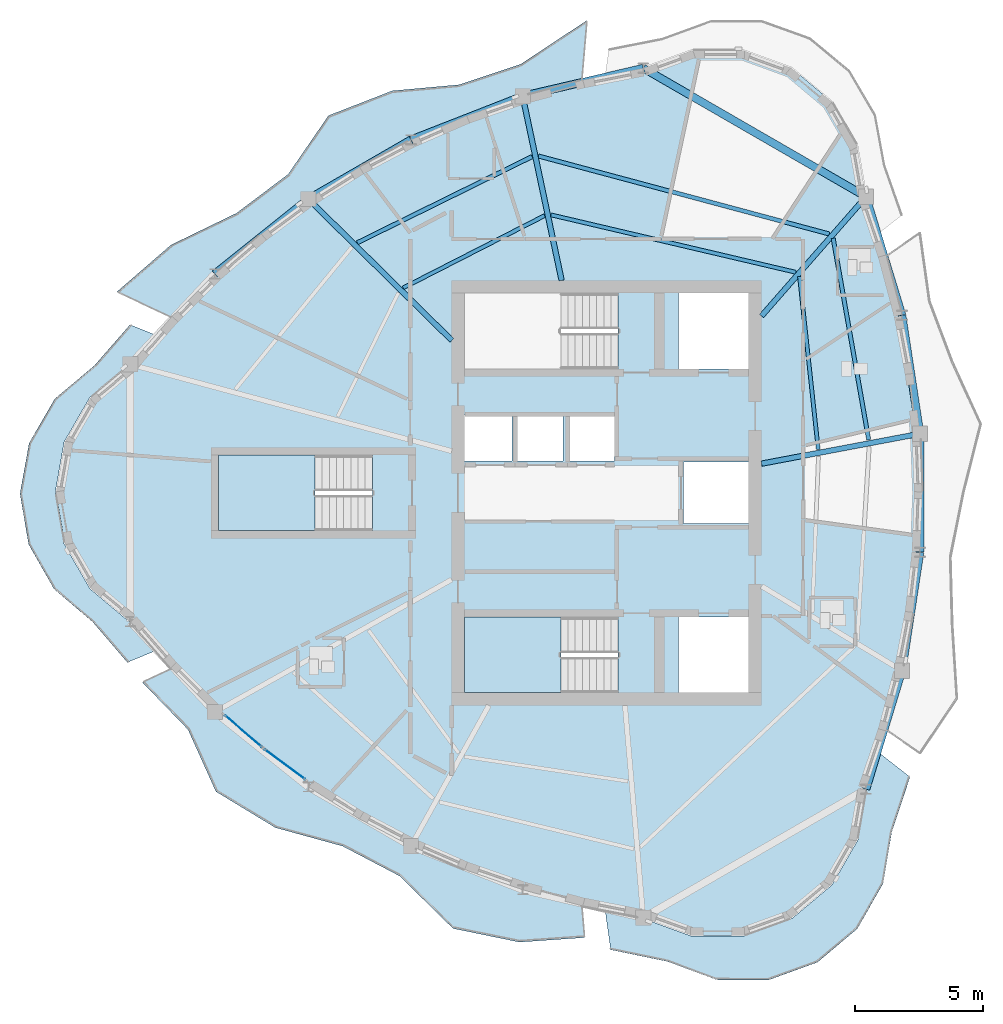
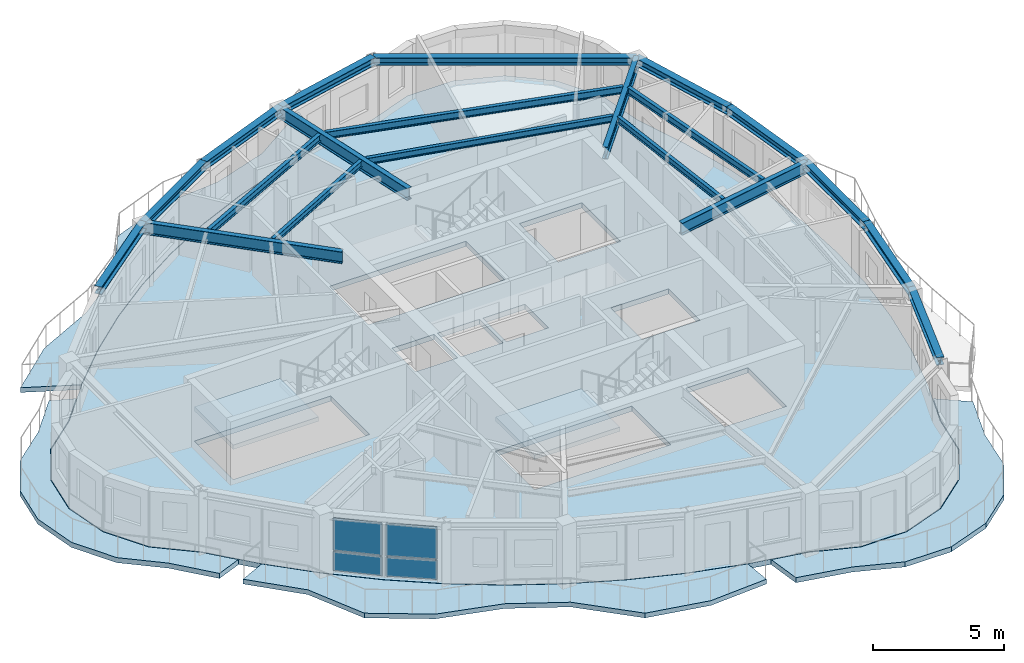
# One storey, part 3 of 13: 20 beams, 7 slabs, 4 plates, 4 elements without a shape of their own.
"""IFC4 building model written with IfcOpenShell, lengths in metres."""

import ifcopenshell
import ifcopenshell.guid

model = None  # the IFC model being written
_history = None  # IfcOwnerHistory: only IFC2X3 demands one
_inside = {}  # id of a spatial element -> (the spatial element, [elements in it])
_under = {}  # id of a project, library or spatial element -> (it, [spatial elements below it])
_declared = {}  # id of a project -> (the project, [libraries it declares])
_typed = {}  # id of a type object -> (the type object, [elements of that type])
_made_of = {}  # id of a material, layer set ... -> (it, [elements and type objects made of it])


def new_model(schema):
    """Start an empty IFC model of exactly this schema.

    Asked for "IFC4X3", IfcOpenShell would pick the latest addendum, in which some entities
    have other attributes; the version numbers below select the first issue.
    IFC2X3 requires an IfcOwnerHistory on every rooted entity: one is made here for all.
    """
    global model, _history
    if schema == "IFC4X3":
        model = ifcopenshell.file(schema_version=(4, 3, 0, 0))
    else:
        model = ifcopenshell.file(schema=schema)
    _inside.clear()
    _under.clear()
    _declared.clear()
    _typed.clear()
    _made_of.clear()
    _history = None
    if model.schema == "IFC2X3":
        org = make("IfcOrganization", Name="unknown")
        user = make(
            "IfcPersonAndOrganization",
            ThePerson=make("IfcPerson", FamilyName="unknown"),
            TheOrganization=org,
        )
        app = make(
            "IfcApplication",
            ApplicationDeveloper=org,
            Version="unknown",
            ApplicationFullName="unknown",
            ApplicationIdentifier="unknown",
        )
        _history = make(
            "IfcOwnerHistory",
            OwningUser=user,
            OwningApplication=app,
            ChangeAction="ADDED",
            CreationDate=0,
        )
    return model


def make(cls, **values):
    """One entity of the class cls with the attributes given. An attribute that is None is left unset."""
    return model.create_entity(
        cls, **{name: value for name, value in values.items() if value is not None}
    )


def rooted(cls, **values):
    """An entity with a GlobalId (a new one), such as an element, a storey or a relation."""
    return make(cls, GlobalId=ifcopenshell.guid.new(), OwnerHistory=_history, **values)


def si_unit(unit_type, name, prefix=None):
    """IfcSIUnit, for example si_unit("LENGTHUNIT", "METRE", prefix="MILLI")."""
    return make("IfcSIUnit", UnitType=unit_type, Prefix=prefix, Name=name)


def assignment(units):
    """IfcUnitAssignment: the units of a project."""
    return None if units is None else make("IfcUnitAssignment", Units=units)


def point(xyz):
    """IfcCartesianPoint."""
    return None if xyz is None else make("IfcCartesianPoint", Coordinates=xyz)


def direction(xyz):
    """IfcDirection."""
    return None if xyz is None else make("IfcDirection", DirectionRatios=xyz)


def frame(location, z_axis=None, x_axis=None):
    """IfcAxis2Placement3D, a coordinate frame: its origin and axes. An axis left out is left unset."""
    return make(
        "IfcAxis2Placement3D",
        Location=point(location),
        Axis=direction(z_axis),
        RefDirection=direction(x_axis),
    )


def frame_2d(location, x_axis=None):
    """IfcAxis2Placement2D, a coordinate frame in the plane: its origin and x axis."""
    return make(
        "IfcAxis2Placement2D", Location=point(location), RefDirection=direction(x_axis)
    )


def origin():
    """The frame at (0, 0, 0) with its axes left unset."""
    return frame((0.0, 0.0, 0.0))


def origin_2d():
    """The frame at (0, 0) in the plane with its x axis left unset."""
    return frame_2d((0.0, 0.0))


def place(relative_to, where):
    """IfcLocalPlacement: puts the frame where relative to a parent placement (None: the world)."""
    return make(
        "IfcLocalPlacement", PlacementRelTo=relative_to, RelativePlacement=where
    )


def context(
    kind, dimensions, precision=None, world=None, true_north=None, identifier=None
):
    """IfcGeometricRepresentationContext, for example the 3D "Model" context."""
    return make(
        "IfcGeometricRepresentationContext",
        ContextIdentifier=identifier,
        ContextType=kind,
        CoordinateSpaceDimension=dimensions,
        Precision=precision,
        WorldCoordinateSystem=world,
        TrueNorth=true_north,
    )


def subcontext(parent, identifier, kind, view, scale=None):
    """IfcGeometricRepresentationSubContext, for example "Body" below "Model"."""
    return make(
        "IfcGeometricRepresentationSubContext",
        ContextIdentifier=identifier,
        ContextType=kind,
        ParentContext=parent,
        TargetScale=scale,
        TargetView=view,
    )


def project(units=None, contexts=None):
    """IfcProject with its units and contexts."""
    return rooted(
        "IfcProject",
        Name="project",
        RepresentationContexts=contexts,
        UnitsInContext=assignment(units),
    )


def spatial(cls, under=None, at=None, **own):
    """A site, building, storey or space (cls), placed at a placement, below another one or the project."""
    s = rooted(cls, ObjectPlacement=at, **own)
    if under is not None:
        _under.setdefault(under.id(), (under, []))[1].append(s)
    return s


def polyline(points):
    """IfcPolyline through the points."""
    return make("IfcPolyline", Points=[point(p) for p in points])


def profile(cls, at=None, kind="AREA", **sizes):
    """A parametric profile (cls). Its sizes go by their IFC names, for example OverallWidth=200.0."""
    return make(cls, ProfileType=kind, Position=at, **sizes)


def rectangle(**sizes):
    """IfcRectangleProfileDef."""
    return profile("IfcRectangleProfileDef", **sizes)


def i_section(**sizes):
    """IfcIShapeProfileDef."""
    return profile("IfcIShapeProfileDef", **sizes)


def outline(outer, holes=None, kind="AREA"):
    """IfcArbitraryClosedProfileDef: a profile drawn as a closed curve; with holes, ...WithVoids."""
    if holes is None:
        return make("IfcArbitraryClosedProfileDef", ProfileType=kind, OuterCurve=outer)
    return make(
        "IfcArbitraryProfileDefWithVoids",
        ProfileType=kind,
        OuterCurve=outer,
        InnerCurves=holes,
    )


def extrude(swept, where, along, depth):
    """IfcExtrudedAreaSolid: the profile swept, set in the frame where, extruded along a direction by depth."""
    return make(
        "IfcExtrudedAreaSolid",
        SweptArea=swept,
        Position=where,
        ExtrudedDirection=direction(along),
        Depth=depth,
    )


def shape(context_of_items, identifier, shape_type, items):
    """IfcShapeRepresentation: the items that make up one representation, for example the "Body"."""
    return make(
        "IfcShapeRepresentation",
        ContextOfItems=context_of_items,
        RepresentationIdentifier=identifier,
        RepresentationType=shape_type,
        Items=items,
    )


def source(mapping_origin, context_of_items, identifier, shape_type, items):
    """IfcRepresentationMap: a shape defined once, which mapped items show again and again."""
    return make(
        "IfcRepresentationMap",
        MappingOrigin=mapping_origin,
        MappedRepresentation=shape(context_of_items, identifier, shape_type, items),
    )


def transform(
    local_origin,
    x_axis=None,
    y_axis=None,
    z_axis=None,
    scale=None,
    scale2=None,
    scale3=None,
    uniform=True,
):
    """IfcCartesianTransformationOperator3D, or its non-uniform kind. x_axis, y_axis, z_axis: its Axis1, 2, 3."""
    if uniform:
        return make(
            "IfcCartesianTransformationOperator3D",
            Axis1=direction(x_axis),
            Axis2=direction(y_axis),
            LocalOrigin=point(local_origin),
            Scale=scale,
            Axis3=direction(z_axis),
        )
    return make(
        "IfcCartesianTransformationOperator3DnonUniform",
        Axis1=direction(x_axis),
        Axis2=direction(y_axis),
        LocalOrigin=point(local_origin),
        Scale=scale,
        Axis3=direction(z_axis),
        Scale2=scale2,
        Scale3=scale3,
    )


def mapped(mapping_source, mapping_target):
    """IfcMappedItem: shows the shape of a source again, moved by a transform."""
    return make(
        "IfcMappedItem", MappingSource=mapping_source, MappingTarget=mapping_target
    )


def material(Name=None, Category=None):
    """IfcMaterial."""
    return make("IfcMaterial", Name=Name, Category=Category)


def layer(
    of_material, thickness, ventilated=None, Name=None, Category=None, Priority=None
):
    """IfcMaterialLayer: one layer of a wall or slab, of a material (None: an air gap)."""
    return make(
        "IfcMaterialLayer",
        Material=of_material,
        LayerThickness=thickness,
        IsVentilated=ventilated,
        Name=Name,
        Category=Category,
        Priority=Priority,
    )


def layer_set(layers, Name=None):
    """IfcMaterialLayerSet."""
    return make("IfcMaterialLayerSet", MaterialLayers=layers, LayerSetName=Name)


def material_profile(
    of_material, cross_section, Name=None, Category=None, Priority=None
):
    """IfcMaterialProfile: a cross section and its material."""
    return make(
        "IfcMaterialProfile",
        Name=Name,
        Material=of_material,
        Profile=cross_section,
        Priority=Priority,
        Category=Category,
    )


def profile_set(profiles, Name=None, composite=None):
    """IfcMaterialProfileSet."""
    return make(
        "IfcMaterialProfileSet",
        Name=Name,
        MaterialProfiles=profiles,
        CompositeProfile=composite,
    )


def made_of(thing, what):
    """Note that an element or type object is made of a material, layer set ...; save() writes the relation."""
    if what is not None:
        _made_of.setdefault(what.id(), (what, []))[1].append(thing)
    return thing


def type_object(cls, material=None, **own):
    """A type object (cls), such as IfcWallType, which elements share."""
    return made_of(rooted(cls, **own), material)


def element(
    cls,
    number,
    at=None,
    inside=None,
    cuts=None,
    type_object=None,
    material=None,
    context=None,
    identifier="Body",
    shape_type=None,
    held_by="IfcProductDefinitionShape",
    body=None,
    shapes=None,
    **own,
):
    """One element of the class cls, such as IfcWall. Its Tag is "e" and its number.

    at: its placement. inside: the storey or other place that contains it. cuts: it is an
    opening in that element (IfcRelVoidsElement). A single representation is given by context,
    identifier, shape_type and body (its items); several are given by shapes. held_by: the class
    of the entity that holds the representations. save() writes the other relations.
    """
    e = rooted(cls, Tag="e%d" % number, ObjectPlacement=at, **own)
    if body is not None:
        shapes = [shape(context, identifier, shape_type, body)]
    if shapes is not None:
        e.Representation = make(held_by, Representations=shapes)
    if inside is not None:
        _inside.setdefault(inside.id(), (inside, []))[1].append(e)
    if cuts is not None:
        rooted(
            "IfcRelVoidsElement", RelatingBuildingElement=cuts, RelatedOpeningElement=e
        )
    if type_object is not None:
        _typed.setdefault(type_object.id(), (type_object, []))[1].append(e)
    return made_of(e, material)


def aggregate(whole, parts):
    """IfcRelAggregates: a whole, such as a stair, and the parts it consists of."""
    return rooted("IfcRelAggregates", RelatingObject=whole, RelatedObjects=parts)


def save(model, path):
    """Write the relations noted so far, then the file.

    IfcRelAggregates (storeys below a building ...), IfcRelContainedInSpatialStructure (elements
    in a storey), IfcRelDefinesByType, IfcRelAssociatesMaterial and IfcRelDeclares: one each for
    every whole, place, type object, material and project.
    """
    for whole, parts in _under.values():
        aggregate(whole, parts)
    for where, things in _inside.values():
        rooted(
            "IfcRelContainedInSpatialStructure",
            RelatedElements=things,
            RelatingStructure=where,
        )
    for kind, things in _typed.values():
        rooted("IfcRelDefinesByType", RelatedObjects=things, RelatingType=kind)
    for what, things in _made_of.values():
        rooted("IfcRelAssociatesMaterial", RelatedObjects=things, RelatingMaterial=what)
    for by, libraries in _declared.values():
        rooted("IfcRelDeclares", RelatingContext=by, RelatedDefinitions=libraries)
    model.write(path)


model = new_model("IFC4")

# Units and contexts
model_context = context("Model", 3, precision=1e-05, world=origin(), true_north=direction((0.0, 1.0)))
body_context = subcontext(model_context, "Body", "Model", "MODEL_VIEW")
ifc_project = project(units=[si_unit("LENGTHUNIT", "METRE"), si_unit("AREAUNIT", "SQUARE_METRE"), si_unit("VOLUMEUNIT", "CUBIC_METRE"), si_unit("PLANEANGLEUNIT", "RADIAN"), si_unit("MASSUNIT", "GRAM", prefix="KILO")], contexts=[model_context])

# Site, building, storey
site_placement = place(None, origin())
site = spatial("IfcSite", under=ifc_project, at=site_placement, CompositionType="ELEMENT")
building_placement = place(site_placement, origin())
building = spatial("IfcBuilding", under=site, at=building_placement, Name="Qafzar Sky-Pleat Residences", CompositionType="ELEMENT")
storey_placement = place(building_placement, frame((0.0, 0.0, 195.60009765625)))
storey = spatial("IfcBuildingStorey", under=building, at=storey_placement, Name="L58", CompositionType="ELEMENT", Elevation=195.60009765625)

# Beams
ifc_material_1 = material(Name="Steel S355", Category="steel")
ifc_material_profile_1 = material_profile(ifc_material_1, i_section(OverallWidth=0.300048828125, OverallDepth=0.360107421875, WebThickness=0.012451171875, FlangeThickness=0.0224609375, FilletRadius=0.027099609375, at=origin_2d()), Name="HEB 360")
ifc_profile_set_1 = profile_set([ifc_material_profile_1], Name="Steel S355")
beam_type_1 = type_object("IfcBeamType", Name="BM-SPAN-HEB360", PredefinedType="SPANDREL", material=ifc_profile_set_1)
shared_shape_1 = source(origin(), body_context, "Body", "SweptSolid", [
    extrude(i_section(OverallWidth=0.300048828125, OverallDepth=0.360107421875, WebThickness=0.012451171875, FlangeThickness=0.0224609375, FilletRadius=0.027099609375, at=origin_2d()), origin(), (0.0, 0.0, 1.0), 10.0458984375),
])
beam_1_placement = place(storey_placement, frame((40.47998046875, 37.570068359375, 2.77783203125), z_axis=(-0.866024107753, 0.500002244785, 0.0), x_axis=(-0.500002244785, -0.866024107753, 0.0)))
element("IfcBeam", 1, at=beam_1_placement, inside=storey, type_object=beam_type_1, Name="L58 Perimeter Spandrel Beam 13", PredefinedType="SPANDREL", context=body_context, shape_type="MappedRepresentation", body=[
    mapped(shared_shape_1, transform((0.0, 0.0, 0.0), x_axis=(1.0, 0.0, 0.0), y_axis=(0.0, 1.0, 0.0), z_axis=(0.0, 0.0, 1.0), scale=1.0)),
])
shared_shape_2 = source(origin(), body_context, "Body", "SweptSolid", [
    extrude(i_section(OverallWidth=0.300048828125, OverallDepth=0.360107421875, WebThickness=0.012451171875, FlangeThickness=0.0224609375, FilletRadius=0.027099609375, at=origin_2d()), origin(), (0.0, 0.0, 1.0), 4.837158203125),
])
for number, where, z_axis, x_axis, name in (
    (2, (40.47998046875, 14.429931640625, 2.77783203125), (0.290874397057, 0.956761247719, 0.0), (-0.956761247719, 0.290874397057, 0.0), "L58 Perimeter Spandrel Beam 8"),
    (3, (41.886962890625, 32.942138671875, 2.77783203125), (-0.290874397057, 0.956761247719, 0.0), (-0.956761247719, -0.290874397057, 0.0), "L58 Perimeter Spandrel Beam 12"),
    (4, (31.780029296875, 42.593017578125, 2.77783203125), (-0.974018125748, -0.226470065822, 0.0), (0.226470065822, -0.974018125748, 0.0), "L58 Perimeter Spandrel Beam 14"),
):
    element("IfcBeam", number, at=place(storey_placement, frame(where, z_axis=z_axis, x_axis=x_axis)), inside=storey, type_object=beam_type_1, Name=name, PredefinedType="SPANDREL", context=body_context, shape_type="MappedRepresentation", body=[
        mapped(shared_shape_2, transform((0.0, 0.0, 0.0), x_axis=(1.0, 0.0, 0.0), y_axis=(0.0, 1.0, 0.0), z_axis=(0.0, 0.0, 1.0), scale=1.0)),
    ])
shared_shape_3 = source(origin(), body_context, "Body", "SweptSolid", [
    extrude(i_section(OverallWidth=0.300048828125, OverallDepth=0.360107421875, WebThickness=0.012451171875, FlangeThickness=0.0224609375, FilletRadius=0.027099609375, at=origin_2d()), origin(), (0.0, 0.0, 1.0), 4.68115234375),
])
beam_2_placement = place(storey_placement, frame((18.70068359375, 37.478515625, 2.77783203125), z_axis=(-0.781067211918, -0.624446963695, 0.0), x_axis=(0.624446963695, -0.781067211918, 0.0)))
element("IfcBeam", 5, at=beam_2_placement, inside=storey, type_object=beam_type_1, Name="L58 Perimeter Spandrel Beam 17", PredefinedType="SPANDREL", context=body_context, shape_type="MappedRepresentation", body=[
    mapped(shared_shape_3, transform((0.0, 0.0, 0.0), x_axis=(1.0, 0.0, 0.0), y_axis=(0.0, 1.0, 0.0), z_axis=(0.0, 0.0, 1.0), scale=1.0)),
])
shared_shape_4 = source(origin(), body_context, "Body", "SweptSolid", [
    extrude(i_section(OverallWidth=0.300048828125, OverallDepth=0.360107421875, WebThickness=0.012451171875, FlangeThickness=0.0224609375, FilletRadius=0.027099609375, at=origin_2d()), origin(), (0.0, 0.0, 1.0), 4.628173828125),
])
beam_3_placement = place(storey_placement, frame((22.708740234375, 39.792724609375, 2.77783203125), z_axis=(-0.866010770261, -0.500025345149, 0.0), x_axis=(0.500025345149, -0.866010770261, 0.0)))
element("IfcBeam", 6, at=beam_3_placement, inside=storey, type_object=beam_type_1, Name="L58 Perimeter Spandrel Beam 16", PredefinedType="SPANDREL", context=body_context, shape_type="MappedRepresentation", body=[
    mapped(shared_shape_4, transform((0.0, 0.0, 0.0), x_axis=(1.0, 0.0, 0.0), y_axis=(0.0, 1.0, 0.0), z_axis=(0.0, 0.0, 1.0), scale=1.0)),
])
shared_shape_5 = source(origin(), body_context, "Body", "SweptSolid", [
    extrude(i_section(OverallWidth=0.300048828125, OverallDepth=0.360107421875, WebThickness=0.012451171875, FlangeThickness=0.0224609375, FilletRadius=0.027099609375, at=origin_2d()), origin(), (0.0, 0.0, 1.0), 4.681396484375),
])
for number, where, z_axis, x_axis, name in (
    (7, (41.886962890625, 19.057861328125, 2.77783203125), (0.150250295924, 0.988647990224, 0.0), (-0.988647990224, 0.150250295924, 0.0), "L58 Perimeter Spandrel Beam 9"),
    (8, (42.59033203125, 28.31396484375, 2.77783203125), (-0.150250295924, 0.988647990224, 0.0), (-0.988647990224, -0.150250295924, 0.0), "L58 Perimeter Spandrel Beam 11"),
    (9, (27.068603515625, 41.49755859375, 2.77783203125), (-0.931329701628, -0.36417713666, 0.0), (0.36417713666, -0.931329701628, 0.0), "L58 Perimeter Spandrel Beam 15"),
):
    element("IfcBeam", number, at=place(storey_placement, frame(where, z_axis=z_axis, x_axis=x_axis)), inside=storey, type_object=beam_type_1, Name=name, PredefinedType="SPANDREL", context=body_context, shape_type="MappedRepresentation", body=[
        mapped(shared_shape_5, transform((0.0, 0.0, 0.0), x_axis=(1.0, 0.0, 0.0), y_axis=(0.0, 1.0, 0.0), z_axis=(0.0, 0.0, 1.0), scale=1.0)),
    ])
shared_shape_6 = source(origin(), body_context, "Body", "SweptSolid", [
    extrude(i_section(OverallWidth=0.300048828125, OverallDepth=0.360107421875, WebThickness=0.012451171875, FlangeThickness=0.0224609375, FilletRadius=0.027099609375, at=origin_2d()), origin(), (0.0, 0.0, 1.0), 4.6279296875),
])
beam_4_placement = place(storey_placement, frame((42.59033203125, 23.68603515625, 2.77783203125), z_axis=(0.0, 1.0, 0.0), x_axis=(-1.0, 0.0, 0.0)))
element("IfcBeam", 10, at=beam_4_placement, inside=storey, type_object=beam_type_1, Name="L58 Perimeter Spandrel Beam 10", PredefinedType="SPANDREL", context=body_context, shape_type="MappedRepresentation", body=[
    mapped(shared_shape_6, transform((0.0, 0.0, 0.0), x_axis=(1.0, 0.0, 0.0), y_axis=(0.0, 1.0, 0.0), z_axis=(0.0, 0.0, 1.0), scale=1.0)),
])
ifc_material_profile_2 = material_profile(ifc_material_1, i_section(OverallWidth=0.2099609375, OverallDepth=0.550048828125, WebThickness=0.010986328125, FlangeThickness=0.01708984375, FilletRadius=0.02392578125, at=origin_2d()), Name="IPE 550")
ifc_profile_set_2 = profile_set([ifc_material_profile_2], Name="Steel S355")
beam_type_2 = type_object("IfcBeamType", Name="BM-SEC-IPE550", PredefinedType="BEAM", material=ifc_profile_set_2)
shared_shape_7 = source(origin(), body_context, "Body", "SweptSolid", [
    extrude(i_section(OverallWidth=0.2099609375, OverallDepth=0.550048828125, WebThickness=0.010986328125, FlangeThickness=0.01708984375, FilletRadius=0.02392578125, at=origin_2d()), origin(), (0.0, 0.0, 1.0), 6.300048828125),
])
beam_5_placement = place(storey_placement, frame((42.59033203125, 28.31396484375, 2.682861328125), z_axis=(-0.982599120298, -0.185738980265, 0.0), x_axis=(0.185738980265, -0.982599120298, 0.0)))
element("IfcBeam", 11, at=beam_5_placement, inside=storey, type_object=beam_type_2, Name="L58 Radial Floor Girder 11", PredefinedType="BEAM", context=body_context, shape_type="MappedRepresentation", body=[
    mapped(shared_shape_7, transform((0.0, 0.0, 0.0), x_axis=(1.0, 0.0, 0.0), y_axis=(0.0, 1.0, 0.0), z_axis=(0.0, 0.0, 1.0), scale=1.0)),
])
shared_shape_8 = source(origin(), body_context, "Body", "SweptSolid", [
    extrude(i_section(OverallWidth=0.2099609375, OverallDepth=0.550048828125, WebThickness=0.010986328125, FlangeThickness=0.01708984375, FilletRadius=0.02392578125, at=origin_2d()), origin(), (0.0, 0.0, 1.0), 6.193603515625),
])
beam_6_placement = place(storey_placement, frame((40.47998046875, 37.570068359375, 2.682861328125), z_axis=(-0.658747358269, -0.752364218961, 0.0), x_axis=(0.752364218961, -0.658747358269, 0.0)))
element("IfcBeam", 12, at=beam_6_placement, inside=storey, type_object=beam_type_2, Name="L58 Radial Floor Girder 13", PredefinedType="BEAM", context=body_context, shape_type="MappedRepresentation", body=[
    mapped(shared_shape_8, transform((0.0, 0.0, 0.0), x_axis=(1.0, 0.0, 0.0), y_axis=(0.0, 1.0, 0.0), z_axis=(0.0, 0.0, 1.0), scale=1.0)),
])
shared_shape_9 = source(origin(), body_context, "Body", "SweptSolid", [
    extrude(i_section(OverallWidth=0.2099609375, OverallDepth=0.550048828125, WebThickness=0.010986328125, FlangeThickness=0.01708984375, FilletRadius=0.02392578125, at=origin_2d()), origin(), (0.0, 0.0, 1.0), 7.357177734375),
])
beam_7_placement = place(storey_placement, frame((27.068603515625, 41.49755859375, 2.682861328125), z_axis=(0.207137560617, -0.978311827068, 0.0), x_axis=(0.978311827068, 0.207137560617, 0.0)))
element("IfcBeam", 13, at=beam_7_placement, inside=storey, type_object=beam_type_2, Name="L58 Radial Floor Girder 15", PredefinedType="BEAM", context=body_context, shape_type="MappedRepresentation", body=[
    mapped(shared_shape_9, transform((0.0, 0.0, 0.0), x_axis=(1.0, 0.0, 0.0), y_axis=(0.0, 1.0, 0.0), z_axis=(0.0, 0.0, 1.0), scale=1.0)),
])
shared_shape_10 = source(origin(), body_context, "Body", "SweptSolid", [
    extrude(i_section(OverallWidth=0.2099609375, OverallDepth=0.550048828125, WebThickness=0.010986328125, FlangeThickness=0.01708984375, FilletRadius=0.02392578125, at=origin_2d()), origin(), (0.0, 0.0, 1.0), 7.86083984375),
])
beam_8_placement = place(storey_placement, frame((18.70068359375, 37.478515625, 2.682861328125), z_axis=(0.712320728381, -0.70185410159, 0.0), x_axis=(0.70185410159, 0.712320728381, 0.0)))
element("IfcBeam", 14, at=beam_8_placement, inside=storey, type_object=beam_type_2, Name="L58 Radial Floor Girder 17", PredefinedType="BEAM", context=body_context, shape_type="MappedRepresentation", body=[
    mapped(shared_shape_10, transform((0.0, 0.0, 0.0), x_axis=(1.0, 0.0, 0.0), y_axis=(0.0, 1.0, 0.0), z_axis=(0.0, 0.0, 1.0), scale=1.0)),
])
ifc_material_profile_3 = material_profile(ifc_material_1, i_section(OverallWidth=0.159912109375, OverallDepth=0.330078125, WebThickness=0.007568359375, FlangeThickness=0.011474609375, FilletRadius=0.01806640625, at=origin_2d()), Name="IPE 330")
ifc_profile_set_3 = profile_set([ifc_material_profile_3], Name="Steel S355")
beam_type_3 = type_object("IfcBeamType", Name="BM-JST-IPE330", PredefinedType="JOIST", material=ifc_profile_set_3)
shared_shape_11 = source(origin(), body_context, "Body", "SweptSolid", [
    extrude(i_section(OverallWidth=0.159912109375, OverallDepth=0.330078125, WebThickness=0.007568359375, FlangeThickness=0.011474609375, FilletRadius=0.01806640625, at=origin_2d()), origin(), (0.0, 0.0, 1.0), 7.994873046875),
])
beam_9_placement = place(storey_placement, frame((40.5859375, 28.072509765625, 2.79296875), z_axis=(-0.173632033155, 0.984810599589, 0.0), x_axis=(-0.984810599589, -0.173632033155, 0.0)))
element("IfcBeam", 15, at=beam_9_placement, inside=storey, type_object=beam_type_3, Name="L58 Outer Secondary Floor Joist 6", PredefinedType="JOIST", context=body_context, shape_type="MappedRepresentation", body=[
    mapped(shared_shape_11, transform((0.0, 0.0, 0.0), x_axis=(1.0, 0.0, 0.0), y_axis=(0.0, 1.0, 0.0), z_axis=(0.0, 0.0, 1.0), scale=1.0)),
])
shared_shape_12 = source(origin(), body_context, "Body", "SweptSolid", [
    extrude(i_section(OverallWidth=0.159912109375, OverallDepth=0.330078125, WebThickness=0.007568359375, FlangeThickness=0.011474609375, FilletRadius=0.01806640625, at=origin_2d()), origin(), (0.0, 0.0, 1.0), 11.758544921875),
])
beam_10_placement = place(storey_placement, frame((39.0439453125, 36.114013671875, 2.79296875), z_axis=(-0.965884269776, 0.258974086348, 0.0), x_axis=(-0.258974086348, -0.965884269776, 0.0)))
element("IfcBeam", 16, at=beam_10_placement, inside=storey, type_object=beam_type_3, Name="L58 Outer Secondary Floor Joist 7", PredefinedType="JOIST", context=body_context, shape_type="MappedRepresentation", body=[
    mapped(shared_shape_12, transform((0.0, 0.0, 0.0), x_axis=(1.0, 0.0, 0.0), y_axis=(0.0, 1.0, 0.0), z_axis=(0.0, 0.0, 1.0), scale=1.0)),
])
shared_shape_13 = source(origin(), body_context, "Body", "SweptSolid", [
    extrude(i_section(OverallWidth=0.159912109375, OverallDepth=0.330078125, WebThickness=0.007568359375, FlangeThickness=0.011474609375, FilletRadius=0.01806640625, at=origin_2d()), origin(), (0.0, 0.0, 1.0), 7.60498046875),
])
beam_11_placement = place(storey_placement, frame((27.43505859375, 39.134521484375, 2.79296875), z_axis=(-0.896987020622, -0.442056879638, 0.0), x_axis=(0.442056879638, -0.896987020622, 0.0)))
element("IfcBeam", 17, at=beam_11_placement, inside=storey, type_object=beam_type_3, Name="L58 Outer Secondary Floor Joist 8", PredefinedType="JOIST", context=body_context, shape_type="MappedRepresentation", body=[
    mapped(shared_shape_13, transform((0.0, 0.0, 0.0), x_axis=(1.0, 0.0, 0.0), y_axis=(0.0, 1.0, 0.0), z_axis=(0.0, 0.0, 1.0), scale=1.0)),
])
ifc_material_profile_4 = material_profile(ifc_material_1, i_section(OverallWidth=0.14990234375, OverallDepth=0.300048828125, WebThickness=0.007080078125, FlangeThickness=0.0107421875, FilletRadius=0.014892578125, at=origin_2d()), Name="IPE 300")
ifc_profile_set_4 = profile_set([ifc_material_profile_4], Name="Steel S355")
beam_type_4 = type_object("IfcBeamType", Name="BM-JST-IPE300", PredefinedType="JOIST", material=ifc_profile_set_4)
shared_shape_14 = source(origin(), body_context, "Body", "SweptSolid", [
    extrude(i_section(OverallWidth=0.14990234375, OverallDepth=0.300048828125, WebThickness=0.007080078125, FlangeThickness=0.0107421875, FilletRadius=0.014892578125, at=origin_2d()), origin(), (0.0, 0.0, 1.0), 6.793701171875),
])
beam_12_placement = place(storey_placement, frame((38.614013671875, 27.69921875, 2.807861328125), z_axis=(-0.107555763992, 0.994199053325, 0.0), x_axis=(-0.994199053325, -0.107555763992, 0.0)))
element("IfcBeam", 18, at=beam_12_placement, inside=storey, type_object=beam_type_4, Name="L58 Inner Secondary Floor Joist 6", PredefinedType="JOIST", context=body_context, shape_type="MappedRepresentation", body=[
    mapped(shared_shape_14, transform((0.0, 0.0, 0.0), x_axis=(1.0, 0.0, 0.0), y_axis=(0.0, 1.0, 0.0), z_axis=(0.0, 0.0, 1.0), scale=1.0)),
])
shared_shape_15 = source(origin(), body_context, "Body", "SweptSolid", [
    extrude(i_section(OverallWidth=0.14990234375, OverallDepth=0.300048828125, WebThickness=0.007080078125, FlangeThickness=0.0107421875, FilletRadius=0.014892578125, at=origin_2d()), origin(), (0.0, 0.0, 1.0), 9.8212890625),
])
beam_13_placement = place(storey_placement, frame((37.7373046875, 34.618408203125, 2.807861328125), z_axis=(-0.973597150025, 0.228273058997, 0.0), x_axis=(-0.228273058997, -0.973597150025, 0.0)))
element("IfcBeam", 19, at=beam_13_placement, inside=storey, type_object=beam_type_4, Name="L58 Inner Secondary Floor Joist 7", PredefinedType="JOIST", context=body_context, shape_type="MappedRepresentation", body=[
    mapped(shared_shape_15, transform((0.0, 0.0, 0.0), x_axis=(1.0, 0.0, 0.0), y_axis=(0.0, 1.0, 0.0), z_axis=(0.0, 0.0, 1.0), scale=1.0)),
])
shared_shape_16 = source(origin(), body_context, "Body", "SweptSolid", [
    extrude(i_section(OverallWidth=0.14990234375, OverallDepth=0.300048828125, WebThickness=0.007080078125, FlangeThickness=0.0107421875, FilletRadius=0.014892578125, at=origin_2d()), origin(), (0.0, 0.0, 1.0), 6.197998046875),
])
beam_14_placement = place(storey_placement, frame((27.923583984375, 36.82958984375, 2.807861328125), z_axis=(-0.890453481976, -0.455074275735, 0.0), x_axis=(0.455074275735, -0.890453481976, 0.0)))
element("IfcBeam", 20, at=beam_14_placement, inside=storey, type_object=beam_type_4, Name="L58 Inner Secondary Floor Joist 8", PredefinedType="JOIST", context=body_context, shape_type="MappedRepresentation", body=[
    mapped(shared_shape_16, transform((0.0, 0.0, 0.0), x_axis=(1.0, 0.0, 0.0), y_axis=(0.0, 1.0, 0.0), z_axis=(0.0, 0.0, 1.0), scale=1.0)),
])

# Slabs
ifc_material_2 = material(Name="Concrete C40/50", Category="concrete")
ifc_layer_1 = layer(ifc_material_2, 0.219970703125)
ifc_layer_set_1 = layer_set([ifc_layer_1], Name="Concrete C40/50")
slab_type_1 = type_object("IfcSlabType", Name="SLAB-BAL-220", PredefinedType="USERDEFINED", material=ifc_layer_set_1)
slab_1_placement = place(storey_placement, frame((0.0, 0.0, -0.22021484375)))
element("IfcSlab", 21, at=slab_1_placement, inside=storey, type_object=slab_type_1, Name="L58 Pleated Stone Balcony 2", ObjectType="BALCONY", PredefinedType="USERDEFINED", context=body_context, shape_type="SweptSolid", body=[
    extrude(outline(polyline([(27.06787109375, 41.509521484375), (24.84228515625, 40.73291015625), (22.70458984375, 39.803955078125), (20.65478515625, 38.72216796875), (18.693115234375, 37.48779296875), (16.81982421875, 36.101318359375), (15.034423828125, 34.56201171875), (13.33740234375, 32.870361328125), (11.226806640625, 33.859375), (13.333740234375, 35.68505859375), (15.901123046875, 36.93115234375), (17.913818359375, 38.449951171875), (19.489501953125, 40.74072265625), (21.974609375, 41.706787109375), (24.582763671875, 41.943359375), (26.993408203125, 42.7451171875), (29.580078125, 44.455810546875), (29.38134765625, 42.13330078125), (27.06787109375, 41.509521484375)])), origin(), (0.0, 0.0, 1.0), 0.22021484375),
])
slab_2_placement = place(storey_placement, frame((0.0, 0.0, -0.22021484375)))
element("IfcSlab", 22, at=slab_2_placement, inside=storey, type_object=slab_type_1, Name="L58 Pleated Stone Balcony 3", ObjectType="BALCONY", PredefinedType="USERDEFINED", context=body_context, shape_type="SweptSolid", body=[
    extrude(outline(polyline([(15.034423828125, 17.43798828125), (16.81982421875, 15.898681640625), (18.693115234375, 14.51220703125), (20.65478515625, 13.27783203125), (22.70458984375, 12.196044921875), (24.84228515625, 11.26708984375), (27.06787109375, 10.490478515625), (29.38134765625, 9.86669921875), (29.48681640625, 8.63330078125), (26.945556640625, 8.456298828125), (24.353759765625, 8.988037109375), (22.260986328125, 11.040283203125), (20.035888671875, 12.205810546875), (17.410400390625, 12.928466796875), (15.09033203125, 14.336181640625), (14.00146484375, 16.755859375), (12.21630859375, 18.604248046875), (13.33740234375, 19.129638671875), (15.034423828125, 17.43798828125)])), origin(), (0.0, 0.0, 1.0), 0.22021484375),
])
ifc_layer_2 = layer(ifc_material_2, 0.239990234375)
ifc_layer_set_2 = layer_set([ifc_layer_2], Name="Concrete C40/50")
slab_type_2 = type_object("IfcSlabType", Name="SLAB-FLR-240", PredefinedType="FLOOR", material=ifc_layer_set_2)
slab_3_placement = place(storey_placement, frame((0.0, 0.0, -0.239990234375)))
element("IfcSlab", 23, at=slab_3_placement, inside=storey, type_object=slab_type_2, Name="L58 Structural Floor Slab", PredefinedType="FLOOR", context=body_context, shape_type="SweptSolid", body=[
    extrude(outline(polyline([(11.739990234375, 31.02294921875), (10.197021484375, 29.728271484375), (9.189697265625, 27.983642578125), (8.840087890625, 26.0), (9.189697265625, 24.016357421875), (10.197021484375, 22.271728515625), (11.739990234375, 20.97705078125), (13.348388671875, 19.134765625), (15.04443359375, 17.444580078125), (16.82861328125, 15.90673828125), (18.70068359375, 14.521484375), (20.660888671875, 13.2880859375), (22.708740234375, 12.207275390625), (24.8447265625, 11.27880859375), (27.068603515625, 10.50244140625), (29.38037109375, 9.878662109375), (31.780029296875, 9.406982421875), (33.6728515625, 8.718017578125), (35.687255859375, 8.718017578125), (37.580078125, 9.406982421875), (39.123046875, 10.70166015625), (40.130126953125, 12.4462890625), (40.47998046875, 14.429931640625), (41.271484375, 16.743896484375), (41.886962890625, 19.057861328125), (42.32666015625, 21.3720703125), (42.59033203125, 23.68603515625), (42.67822265625, 26.0), (42.59033203125, 28.31396484375), (42.32666015625, 30.6279296875), (41.886962890625, 32.942138671875), (41.271484375, 35.256103515625), (40.47998046875, 37.570068359375), (40.130126953125, 39.5537109375), (39.123046875, 41.29833984375), (37.580078125, 42.593017578125), (35.687255859375, 43.281982421875), (33.6728515625, 43.281982421875), (31.780029296875, 42.593017578125), (29.38037109375, 42.121337890625), (27.068603515625, 41.49755859375), (24.8447265625, 40.72119140625), (22.708740234375, 39.792724609375), (20.660888671875, 38.7119140625), (18.70068359375, 37.478515625), (16.82861328125, 36.09326171875), (15.04443359375, 34.555419921875), (13.348388671875, 32.865234375), (11.739990234375, 31.02294921875)]), holes=[polyline([(30.797119140625, 21.14990234375), (24.800048828125, 21.14990234375), (24.800048828125, 18.199951171875), (30.797119140625, 18.199951171875), (30.797119140625, 21.14990234375)]), polyline([(30.797119140625, 33.800048828125), (24.800048828125, 33.800048828125), (24.800048828125, 30.85009765625), (30.797119140625, 30.85009765625), (30.797119140625, 33.800048828125)]), polyline([(21.197021484375, 27.47509765625), (15.199951171875, 27.47509765625), (15.199951171875, 24.52490234375), (21.197021484375, 24.52490234375), (21.197021484375, 27.47509765625)]), polyline([(24.800048828125, 27.25), (26.64990234375, 27.25), (26.64990234375, 29.050048828125), (24.800048828125, 29.050048828125), (24.800048828125, 27.25)]), polyline([(26.800048828125, 27.25), (28.64990234375, 27.25), (28.64990234375, 29.050048828125), (26.800048828125, 29.050048828125), (26.800048828125, 27.25)]), polyline([(28.800048828125, 27.25), (30.64990234375, 27.25), (30.64990234375, 29.050048828125), (28.800048828125, 29.050048828125), (28.800048828125, 27.25)]), polyline([(33.14990234375, 18.199951171875), (35.89990234375, 18.199951171875), (35.89990234375, 21.14990234375), (33.14990234375, 21.14990234375), (33.14990234375, 18.199951171875)]), polyline([(33.14990234375, 30.85009765625), (35.89990234375, 30.85009765625), (35.89990234375, 33.800048828125), (33.14990234375, 33.800048828125), (33.14990234375, 30.85009765625)]), polyline([(33.35009765625, 24.800048828125), (35.89990234375, 24.800048828125), (35.89990234375, 27.199951171875), (33.35009765625, 27.199951171875), (33.35009765625, 24.800048828125)])]), origin(), (0.0, 0.0, 1.0), 0.239990234375),
])

# Stair, slab
stair_type = type_object("IfcStairType", Name="STAIR-H320", PredefinedType="HALF_TURN_STAIR", material=ifc_material_2)
stair_1_placement = place(storey_placement, origin())
stair_1 = element("IfcStair", 24, at=stair_1_placement, inside=storey, type_object=stair_type, Name="L58 Protected Exit Stair ST1", PredefinedType="HALF_TURN_STAIR")
ifc_layer_3 = layer(ifc_material_2, 0.199951171875)
ifc_layer_set_3 = layer_set([ifc_layer_3], Name="Concrete C40/50")
slab_type_3 = type_object("IfcSlabType", Name="SLAB-LANDING-200", PredefinedType="LANDING", material=ifc_layer_set_3)
slab_4_placement = place(storey_placement, frame((0.0, 0.0, 1.39990234375)))
slab_4 = element("IfcSlab", 25, at=slab_4_placement, type_object=slab_type_3, Name="ST1 landing 1", PredefinedType="LANDING", context=body_context, shape_type="SweptSolid", body=[
    extrude(outline(polyline([(28.56005859375, 21.14990234375), (24.800048828125, 21.14990234375), (24.800048828125, 18.199951171875), (28.56005859375, 18.199951171875), (28.56005859375, 21.14990234375)])), origin(), (0.0, 0.0, 1.0), 0.199951171875),
])
aggregate(stair_1, [slab_4])

stair_2_placement = place(storey_placement, origin())
stair_2 = element("IfcStair", 26, at=stair_2_placement, inside=storey, type_object=stair_type, Name="L58 Protected Exit Stair ST3", PredefinedType="HALF_TURN_STAIR")
slab_5_placement = place(storey_placement, frame((0.0, 0.0, 1.39990234375)))
slab_5 = element("IfcSlab", 27, at=slab_5_placement, type_object=slab_type_3, Name="ST3 landing 1", PredefinedType="LANDING", context=body_context, shape_type="SweptSolid", body=[
    extrude(outline(polyline([(18.9599609375, 27.47509765625), (15.199951171875, 27.47509765625), (15.199951171875, 24.52490234375), (18.9599609375, 24.52490234375), (18.9599609375, 27.47509765625)])), origin(), (0.0, 0.0, 1.0), 0.199951171875),
])
aggregate(stair_2, [slab_5])

# Slabs
ifc_layer_4 = layer(ifc_material_2, 0.235107421875)
ifc_layer_set_4 = layer_set([ifc_layer_4], Name="Concrete C40/50")
slab_type_4 = type_object("IfcSlabType", Name="SLAB-TER-235", PredefinedType="USERDEFINED", material=ifc_layer_set_4)
slab_6_placement = place(storey_placement, frame((0.0, 0.0, -0.235107421875)))
element("IfcSlab", 28, at=slab_6_placement, inside=storey, type_object=slab_type_4, Name="L58 Shared-Kitchen Corner Terrace 1", ObjectType="TERRACE", PredefinedType="USERDEFINED", context=body_context, shape_type="SweptSolid", body=[
    extrude(outline(polyline([(11.722412109375, 31.040771484375), (10.180908203125, 29.747314453125), (10.17919921875, 29.745849609375), (10.177734375, 29.744384765625), (10.176513671875, 29.742431640625), (10.17529296875, 29.74072265625), (9.168212890625, 27.99609375), (9.1669921875, 27.994384765625), (9.166259765625, 27.9921875), (9.165771484375, 27.990234375), (9.165283203125, 27.988037109375), (8.8154296875, 26.00439453125), (8.815185546875, 26.002197265625), (8.81494140625, 26.0), (8.815185546875, 25.997802734375), (8.8154296875, 25.99560546875), (9.165283203125, 24.011962890625), (9.165771484375, 24.009765625), (9.166259765625, 24.0078125), (9.1669921875, 24.005615234375), (9.168212890625, 24.00390625), (10.17529296875, 22.25927734375), (10.176513671875, 22.257568359375), (10.177734375, 22.255615234375), (10.17919921875, 22.254150390625), (10.180908203125, 22.252685546875), (11.722412109375, 20.959228515625), (12.71337890625, 19.823974609375), (11.62841796875, 19.385498046875), (10.289306640625, 20.94970703125), (8.764892578125, 22.251953125), (7.775146484375, 23.99560546875), (7.438232421875, 25.972412109375), (7.79443359375, 27.9453125), (8.801025390625, 29.679443359375), (10.338134765625, 30.967041015625), (11.73779296875, 32.5703125), (12.71337890625, 32.176025390625), (11.722412109375, 31.040771484375)])), origin(), (0.0, 0.0, 1.0), 0.235107421875),
])
slab_7_placement = place(storey_placement, frame((0.0, 0.0, -0.235107421875)))
element("IfcSlab", 29, at=slab_7_placement, inside=storey, type_object=slab_type_4, Name="L58 Shared-Kitchen Corner Terrace 3", ObjectType="TERRACE", PredefinedType="USERDEFINED", context=body_context, shape_type="SweptSolid", body=[
    extrude(outline(polyline([(41.482666015625, 12.749267578125), (41.145751953125, 10.74462890625), (40.137939453125, 8.979248046875), (38.582763671875, 7.669921875), (36.67138671875, 6.977783203125), (34.638671875, 6.98779296875), (32.734130859375, 7.698486328125), (30.50732421875, 8.15869140625), (30.29443359375, 9.67333984375), (31.773193359375, 9.3828125), (33.664306640625, 8.694580078125), (33.666259765625, 8.69384765625), (33.66845703125, 8.693359375), (33.670654296875, 8.693115234375), (33.6728515625, 8.693115234375), (35.687255859375, 8.693115234375), (35.689453125, 8.693115234375), (35.69140625, 8.693359375), (35.693603515625, 8.69384765625), (35.69580078125, 8.694580078125), (37.588623046875, 9.383544921875), (37.590576171875, 9.38427734375), (37.592529296875, 9.38525390625), (37.59423828125, 9.386474609375), (37.59619140625, 9.3876953125), (39.13916015625, 10.6826171875), (39.140869140625, 10.68408203125), (39.142333984375, 10.685546875), (39.1435546875, 10.6875), (39.144775390625, 10.689208984375), (40.15185546875, 12.43359375), (40.15283203125, 12.435546875), (40.15380859375, 12.4375), (40.154296875, 12.439697265625), (40.15478515625, 12.44189453125), (40.50439453125, 14.423583984375), (40.991943359375, 15.849609375), (42.197509765625, 14.90771484375), (41.482666015625, 12.749267578125)])), origin(), (0.0, 0.0, 1.0), 0.235107421875),
])

# Curtain wall, plates
ifc_material_3 = material(Name="Anodised bronze aluminium framing", Category="aluminium")
ifc_layer_5 = layer(ifc_material_3, 0.199951171875)
ifc_layer_set_5 = layer_set([ifc_layer_5], Name="Anodised bronze aluminium framing")
curtain_wall_type = type_object("IfcCurtainWallType", Name="CW-SYS-04", PredefinedType="NOTDEFINED", material=ifc_layer_set_5)
curtain_wall_1_placement = place(storey_placement, origin())
curtain_wall_1 = element("IfcCurtainWall", 30, at=curtain_wall_1_placement, inside=storey, type_object=curtain_wall_type, Name="L58 CW-04 Curtain Wall CW-L58-WG-09", PredefinedType="NOTDEFINED")
ifc_material_4 = material(Name="Solar-control double low-E glazing", Category="glass")
ifc_layer_6 = layer(ifc_material_4, 0.028076171875)
ifc_layer_set_6 = layer_set([ifc_layer_6], Name="Solar-control double low-E glazing")
plate_type = type_object("IfcPlateType", Name="CWP-04", PredefinedType="CURTAIN_PANEL", material=ifc_layer_set_6)
shared_shape_17 = source(origin(), body_context, "Body", "SweptSolid", [
    extrude(rectangle(XDim=1.885498046875, YDim=0.028076171875, at=origin_2d()), origin(), (0.0, 0.0, 1.0), 0.8828125),
])
plate_1_placement = place(storey_placement, frame((16.15478515625, 16.698974609375, 0.06494140625), z_axis=(0.0, 0.0, 1.0), x_axis=(0.757467496518, -0.652872875619, 0.0)))
plate_1 = element("IfcPlate", 31, at=plate_1_placement, type_object=plate_type, Name="CW-04 panel 1.1", PredefinedType="CURTAIN_PANEL", context=body_context, shape_type="MappedRepresentation", body=[
    mapped(shared_shape_17, transform((0.0, 0.0, 0.0), x_axis=(1.0, 0.0, 0.0), y_axis=(0.0, 1.0, 0.0), z_axis=(0.0, 0.0, 1.0), scale=1.0)),
])
shared_shape_18 = source(origin(), body_context, "Body", "SweptSolid", [
    extrude(rectangle(XDim=1.885498046875, YDim=0.028076171875, at=origin_2d()), origin(), (0.0, 0.0, 1.0), 1.502197265625),
])
plate_2_placement = place(storey_placement, frame((16.15478515625, 16.698974609375, 1.0126953125), z_axis=(0.0, 0.0, 1.0), x_axis=(0.757467496518, -0.652872875619, 0.0)))
plate_2 = element("IfcPlate", 32, at=plate_2_placement, type_object=plate_type, Name="CW-04 panel 1.2", PredefinedType="CURTAIN_PANEL", context=body_context, shape_type="MappedRepresentation", body=[
    mapped(shared_shape_18, transform((0.0, 0.0, 0.0), x_axis=(1.0, 0.0, 0.0), y_axis=(0.0, 1.0, 0.0), z_axis=(0.0, 0.0, 1.0), scale=1.0)),
])
aggregate(curtain_wall_1, [plate_1, plate_2])

curtain_wall_2_placement = place(storey_placement, origin())
curtain_wall_2 = element("IfcCurtainWall", 33, at=curtain_wall_2_placement, inside=storey, type_object=curtain_wall_type, Name="L58 CW-04 Curtain Wall CW-L58-WG-10", PredefinedType="NOTDEFINED")
shared_shape_19 = source(origin(), body_context, "Body", "SweptSolid", [
    extrude(rectangle(XDim=1.9599609375, YDim=0.028076171875, at=origin_2d()), origin(), (0.0, 0.0, 1.0), 0.8828125),
])
plate_3_placement = place(storey_placement, frame((17.780029296875, 15.40185546875, 0.06494140625), z_axis=(0.0, 0.0, 1.0), x_axis=(0.803824967874, -0.594865884903, 0.0)))
plate_3 = element("IfcPlate", 34, at=plate_3_placement, type_object=plate_type, Name="CW-04 panel 1.1", PredefinedType="CURTAIN_PANEL", context=body_context, shape_type="MappedRepresentation", body=[
    mapped(shared_shape_19, transform((0.0, 0.0, 0.0), x_axis=(1.0, 0.0, 0.0), y_axis=(0.0, 1.0, 0.0), z_axis=(0.0, 0.0, 1.0), scale=1.0)),
])
shared_shape_20 = source(origin(), body_context, "Body", "SweptSolid", [
    extrude(rectangle(XDim=1.9599609375, YDim=0.028076171875, at=origin_2d()), origin(), (0.0, 0.0, 1.0), 1.502197265625),
])
plate_4_placement = place(storey_placement, frame((17.780029296875, 15.40185546875, 1.0126953125), z_axis=(0.0, 0.0, 1.0), x_axis=(0.803824967874, -0.594865884903, 0.0)))
plate_4 = element("IfcPlate", 35, at=plate_4_placement, type_object=plate_type, Name="CW-04 panel 1.2", PredefinedType="CURTAIN_PANEL", context=body_context, shape_type="MappedRepresentation", body=[
    mapped(shared_shape_20, transform((0.0, 0.0, 0.0), x_axis=(1.0, 0.0, 0.0), y_axis=(0.0, 1.0, 0.0), z_axis=(0.0, 0.0, 1.0), scale=1.0)),
])
aggregate(curtain_wall_2, [plate_3, plate_4])

save(model, "model.ifc")
